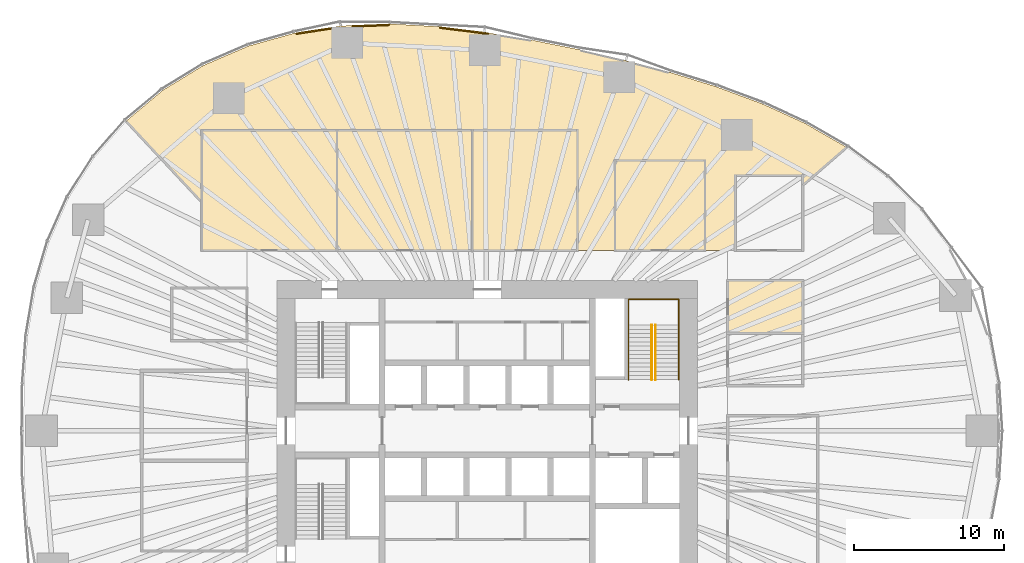
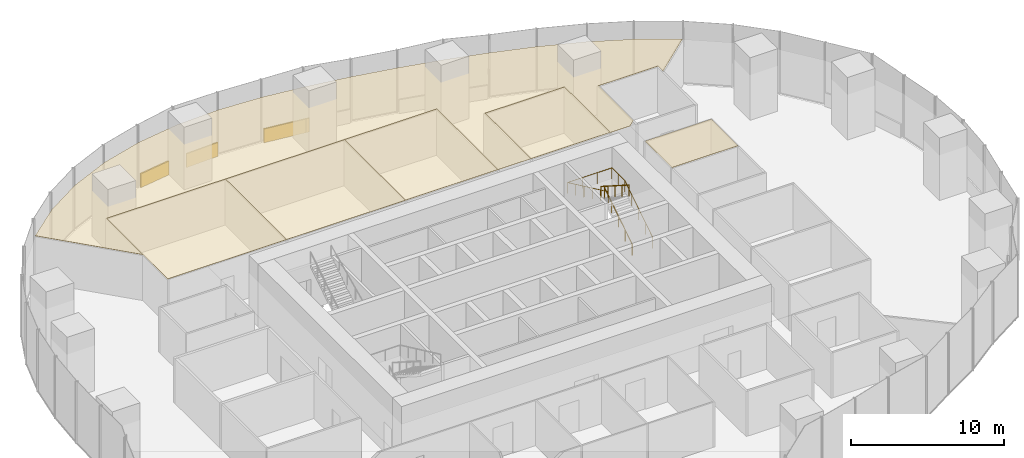
# One storey, part 19 of 20: 10 coverings, 3 railings.
"""IFC4 building model written with IfcOpenShell, lengths in metres."""

from ifc_helpers import new_model, si_unit, direction, frame, origin, origin_2d, place, context, subcontext, project, spatial, polyline, rectangle, circle, outline, extrude, material, layer, layer_set, type_object, element, save


model = new_model("IFC4")

# Units and contexts
model_context = context("Model", 3, precision=1e-05, world=origin(), true_north=direction((0.0, 1.0)))
body_context = subcontext(model_context, "Body", "Model", "MODEL_VIEW")
ifc_project = project(units=[si_unit("LENGTHUNIT", "METRE"), si_unit("AREAUNIT", "SQUARE_METRE"), si_unit("VOLUMEUNIT", "CUBIC_METRE"), si_unit("PLANEANGLEUNIT", "RADIAN"), si_unit("MASSUNIT", "GRAM", prefix="KILO")], contexts=[model_context])

# Site, building, storey
site_placement = place(None, origin())
site = spatial("IfcSite", under=ifc_project, at=site_placement, CompositionType="ELEMENT")
building_placement = place(site_placement, origin())
building = spatial("IfcBuilding", under=site, at=building_placement, Name="Ghaith Harvest Tower", CompositionType="ELEMENT")
storey_placement = place(building_placement, frame((0.0, 0.0, 20.0)))
storey = spatial("IfcBuildingStorey", under=building, at=storey_placement, Name="L04", CompositionType="ELEMENT", Elevation=20.0)

# Coverings
ifc_material_1 = material(Name="Mineral fibre ceiling tile", Category="gypsum")
ifc_layer_1 = layer(ifc_material_1, 0.02490234375)
ifc_layer_set_1 = layer_set([ifc_layer_1], Name="CEILING C2")
covering_type_1 = type_object("IfcCoveringType", Name="CEILING C2", PredefinedType="CEILING", material=ifc_layer_set_1)
covering_1_placement = place(storey_placement, frame((0.0, 0.0, 3.60009765625)))
element("IfcCovering", 1, at=covering_1_placement, inside=storey, type_object=covering_type_1, Name="Ceiling L04-01", PredefinedType="CEILING", context=body_context, shape_type="SweptSolid", body=[
    extrude(outline(polyline([(-19.0, 12.0), (-10.0, 12.0), (-10.0, 20.0), (-19.0, 20.0), (-19.0, 12.0)])), origin(), (0.0, 0.0, 1.0), 0.02490234375),
])
covering_2_placement = place(storey_placement, frame((0.0, 0.0, 3.60009765625)))
element("IfcCovering", 2, at=covering_2_placement, inside=storey, type_object=covering_type_1, Name="Ceiling L04-02", PredefinedType="CEILING", context=body_context, shape_type="SweptSolid", body=[
    extrude(outline(polyline([(-10.0, 12.0), (-1.0, 12.0), (-1.0, 20.0), (-10.0, 20.0), (-10.0, 12.0)])), origin(), (0.0, 0.0, 1.0), 0.02490234375),
])
covering_3_placement = place(storey_placement, frame((0.0, 0.0, 3.60009765625)))
element("IfcCovering", 3, at=covering_3_placement, inside=storey, type_object=covering_type_1, Name="Ceiling L04-03", PredefinedType="CEILING", context=body_context, shape_type="SweptSolid", body=[
    extrude(outline(polyline([(-1.0, 12.0), (6.0, 12.0), (6.0, 20.0), (-1.0, 20.0), (-1.0, 12.0)])), origin(), (0.0, 0.0, 1.0), 0.02490234375),
])
covering_4_placement = place(storey_placement, frame((0.0, 0.0, 3.60009765625)))
element("IfcCovering", 4, at=covering_4_placement, inside=storey, type_object=covering_type_1, Name="Ceiling L04-04", PredefinedType="CEILING", context=body_context, shape_type="SweptSolid", body=[
    extrude(outline(polyline([(8.5, 12.0), (14.5, 12.0), (14.5, 18.0), (8.5, 18.0), (8.5, 12.0)])), origin(), (0.0, 0.0, 1.0), 0.02490234375),
])
covering_5_placement = place(storey_placement, frame((0.0, 0.0, 3.60009765625)))
element("IfcCovering", 5, at=covering_5_placement, inside=storey, type_object=covering_type_1, Name="Ceiling L04-17", PredefinedType="CEILING", context=body_context, shape_type="SweptSolid", body=[
    extrude(outline(polyline([(16.0, 6.5), (21.0, 6.5), (21.0, 10.0), (16.0, 10.0), (16.0, 6.5)])), origin(), (0.0, 0.0, 1.0), 0.02490234375),
])
covering_6_placement = place(storey_placement, frame((0.0, 0.0, 3.60009765625)))
element("IfcCovering", 6, at=covering_6_placement, inside=storey, type_object=covering_type_1, Name="Ceiling L04-N1", PredefinedType="CEILING", context=body_context, shape_type="SweptSolid", body=[
    extrude(outline(polyline([(-21.59912109375, 22.671142578125), (-18.8935546875, 24.32763671875), (-15.907958984375, 25.614501953125), (-12.828125, 26.476806640625), (-9.733642578125, 26.949951171875), (-6.4375, 27.0849609375), (-3.24755859375, 26.91064453125), (-0.181396484375, 26.527099609375), (2.99560546875, 26.004150390625), (6.10888671875, 25.378662109375), (9.21533203125, 24.65087890625), (12.1796875, 23.857666015625), (15.22119140625, 22.916259765625), (18.34521484375, 21.7548828125), (21.149169921875, 20.469482421875), (23.92431640625, 18.873046875), (21.0, 16.336669921875), (21.0, 17.0), (16.5, 17.0), (16.5, 12.43359375), (16.0, 12.0), (14.5, 12.0), (14.5, 18.0), (8.5, 18.0), (8.5, 12.0), (6.0, 12.0), (6.0, 20.0), (-19.0, 20.0), (-19.0, 15.21240234375), (-24.04833984375, 20.618408203125), (-21.59912109375, 22.671142578125)])), origin(), (0.0, 0.0, 1.0), 0.02490234375),
])

# Railings
ifc_material_2 = material(Name="Steel, black powder-coated", Category="steel")
railing_type = type_object("IfcRailingType", Name="HANDRAIL HR1", PredefinedType="HANDRAIL", material=ifc_material_2)
railing_1_placement = place(storey_placement, frame((11.199951171875, 3.39990234375, 0.178466796875)))
element("IfcRailing", 7, at=railing_1_placement, inside=storey, type_object=railing_type, Name="Handrail HR1 stair ST2 L04 flight 1 inner", PredefinedType="HANDRAIL", context=body_context, shape_type="SweptSolid", body=[
    extrude(circle(Radius=0.02392578125, at=origin_2d()), frame((0.0, 0.0, 0.8759765625), z_axis=(0.0, 0.843127859045, 0.537713132908), x_axis=(-1.0, 0.0, 0.0)), (0.0, 0.0, 1.0), 4.3173828125),
    extrude(circle(Radius=0.02099609375, at=origin_2d()), origin(), (0.0, 0.0, 1.0), 0.851806640625),
    extrude(circle(Radius=0.02099609375, at=origin_2d()), frame((0.0, 0.91015625, 0.580322265625)), (0.0, 0.0, 1.0), 0.851806640625),
    extrude(circle(Radius=0.02099609375, at=origin_2d()), frame((0.0, 1.820068359375, 1.16064453125)), (0.0, 0.0, 1.0), 0.851806640625),
    extrude(circle(Radius=0.02099609375, at=origin_2d()), frame((0.0, 2.72998046875, 1.7412109375)), (0.0, 0.0, 1.0), 0.851806640625),
    extrude(circle(Radius=0.02099609375, at=origin_2d()), frame((0.0, 3.64013671875, 2.321533203125)), (0.0, 0.0, 1.0), 0.851806640625),
])
railing_2_placement = place(storey_placement, frame((10.949951171875, 7.0400390625, 2.678466796875)))
element("IfcRailing", 8, at=railing_2_placement, inside=storey, type_object=railing_type, Name="Handrail HR1 stair ST2 L04 flight 2 inner", PredefinedType="HANDRAIL", context=body_context, shape_type="SweptSolid", body=[
    extrude(circle(Radius=0.02392578125, at=origin_2d()), frame((0.0, 0.0, 0.8759765625), z_axis=(0.0, -0.843127859045, 0.537713132908), x_axis=(1.0, 0.0, 0.0)), (0.0, 0.0, 1.0), 4.3173828125),
    extrude(circle(Radius=0.02099609375, at=origin_2d()), origin(), (0.0, 0.0, 1.0), 0.851806640625),
    extrude(circle(Radius=0.02099609375, at=origin_2d()), frame((0.0, -0.91015625, 0.580322265625)), (0.0, 0.0, 1.0), 0.851806640625),
    extrude(circle(Radius=0.02099609375, at=origin_2d()), frame((0.0, -1.820068359375, 1.16064453125)), (0.0, 0.0, 1.0), 0.851806640625),
    extrude(circle(Radius=0.02099609375, at=origin_2d()), frame((0.0, -2.72998046875, 1.7412109375)), (0.0, 0.0, 1.0), 0.851806640625),
    extrude(circle(Radius=0.02099609375, at=origin_2d()), frame((0.0, -3.64013671875, 2.321533203125)), (0.0, 0.0, 1.0), 0.851806640625),
])
railing_3_placement = place(storey_placement, frame((12.75, 3.39990234375, 0.178466796875)))
element("IfcRailing", 9, at=railing_3_placement, inside=storey, type_object=railing_type, Name="Handrail HR1 stair ST2 L04 wall side", PredefinedType="HANDRAIL", context=body_context, shape_type="SweptSolid", body=[
    extrude(circle(Radius=0.02392578125, at=origin_2d()), frame((0.0, 0.0, 0.8759765625), z_axis=(0.0, 0.843127859045, 0.537713132908), x_axis=(-1.0, 0.0, 0.0)), (0.0, 0.0, 1.0), 4.3173828125),
    extrude(circle(Radius=0.02392578125, at=origin_2d()), frame((0.0, 3.64013671875, 3.197265625), z_axis=(0.0, 1.0, 0.0), x_axis=(-1.0, 0.0, 0.0)), (0.0, 0.0, 1.0), 1.7099609375),
    extrude(circle(Radius=0.02392578125, at=origin_2d()), frame((0.0, 5.35009765625, 3.197265625), z_axis=(-1.0, 0.0, 0.0), x_axis=(0.0, -1.0, 0.0)), (0.0, 0.0, 1.0), 3.35009765625),
    extrude(circle(Radius=0.02392578125, at=origin_2d()), frame((-3.35009765625, 5.35009765625, 3.197265625), z_axis=(0.0, -0.905969675553, 0.423342588193), x_axis=(1.0, 0.0, 0.0)), (0.0, 0.0, 1.0), 5.9052734375),
    extrude(circle(Radius=0.02099609375, at=origin_2d()), origin(), (0.0, 0.0, 1.0), 0.851806640625),
    extrude(circle(Radius=0.02099609375, at=origin_2d()), frame((0.0, 0.91015625, 0.580322265625)), (0.0, 0.0, 1.0), 0.851806640625),
    extrude(circle(Radius=0.02099609375, at=origin_2d()), frame((0.0, 1.820068359375, 1.16064453125)), (0.0, 0.0, 1.0), 0.851806640625),
    extrude(circle(Radius=0.02099609375, at=origin_2d()), frame((0.0, 2.72998046875, 1.7412109375)), (0.0, 0.0, 1.0), 0.851806640625),
    extrude(circle(Radius=0.02099609375, at=origin_2d()), frame((0.0, 3.64013671875, 2.321533203125)), (0.0, 0.0, 1.0), 0.851806640625),
    extrude(circle(Radius=0.02099609375, at=origin_2d()), frame((0.0, 4.4951171875, 2.321533203125)), (0.0, 0.0, 1.0), 0.851806640625),
    extrude(circle(Radius=0.02099609375, at=origin_2d()), frame((0.0, 5.35009765625, 2.321533203125)), (0.0, 0.0, 1.0), 0.851806640625),
    extrude(circle(Radius=0.02099609375, at=origin_2d()), frame((-1.11669921875, 5.35009765625, 2.321533203125)), (0.0, 0.0, 1.0), 0.851806640625),
    extrude(circle(Radius=0.02099609375, at=origin_2d()), frame((-2.2333984375, 5.35009765625, 2.321533203125)), (0.0, 0.0, 1.0), 0.851806640625),
    extrude(circle(Radius=0.02099609375, at=origin_2d()), frame((-3.35009765625, 5.35009765625, 2.321533203125)), (0.0, 0.0, 1.0), 0.851806640625),
    extrude(circle(Radius=0.02099609375, at=origin_2d()), frame((-3.35009765625, 4.280029296875, 2.821533203125)), (0.0, 0.0, 1.0), 0.851806640625),
    extrude(circle(Radius=0.02099609375, at=origin_2d()), frame((-3.35009765625, 3.2099609375, 3.321533203125)), (0.0, 0.0, 1.0), 0.851806640625),
    extrude(circle(Radius=0.02099609375, at=origin_2d()), frame((-3.35009765625, 2.14013671875, 3.821533203125)), (0.0, 0.0, 1.0), 0.851806640625),
    extrude(circle(Radius=0.02099609375, at=origin_2d()), frame((-3.35009765625, 1.070068359375, 4.321533203125)), (0.0, 0.0, 1.0), 0.851806640625),
    extrude(circle(Radius=0.02099609375, at=origin_2d()), frame((-3.35009765625, 0.0, 4.821533203125)), (0.0, 0.0, 1.0), 0.851806640625),
])

# Coverings
ifc_material_3 = material(Name="Insulated aluminium spandrel panel on steel framing", Category="steel")
ifc_layer_2 = layer(ifc_material_3, 0.10009765625)
ifc_layer_set_2 = layer_set([ifc_layer_2], Name="SLAB EDGE UPSTAND 1100x100")
covering_type_2 = type_object("IfcCoveringType", Name="SLAB EDGE UPSTAND 1100x100", PredefinedType="CLADDING", material=ifc_layer_set_2)
covering_7_placement = place(storey_placement, frame((-0.063720703125, 26.45703125, 0.0), z_axis=(0.0, 0.0, 1.0), x_axis=(-0.986716247541, 0.162453214305, 0.0)))
element("IfcCovering", 10, at=covering_7_placement, inside=storey, type_object=covering_type_2, Name="Slab edge upstand 3 bay 05 L04", PredefinedType="CLADDING", context=body_context, shape_type="SweptSolid", body=[
    extrude(rectangle(XDim=0.255126953125, YDim=0.10009765625, at=origin_2d()), origin(), (0.0, 0.0, 1.0), 1.10009765625),
])
covering_8_placement = place(storey_placement, frame((-1.671142578125, 26.6630859375, 0.0), z_axis=(0.0, 0.0, 1.0), x_axis=(-0.99226486887, 0.124138753038, 0.0)))
element("IfcCovering", 11, at=covering_8_placement, inside=storey, type_object=covering_type_2, Name="Slab edge upstand 1 bay 06 L04", PredefinedType="CLADDING", context=body_context, shape_type="SweptSolid", body=[
    extrude(rectangle(XDim=2.98974609375, YDim=0.10009765625, at=origin_2d()), origin(), (0.0, 0.0, 1.0), 1.10009765625),
])
covering_9_placement = place(storey_placement, frame((-7.75537109375, 26.98095703125, 0.0), z_axis=(0.0, 0.0, 1.0), x_axis=(-0.999160890982, -0.040957464901, 0.0)))
element("IfcCovering", 12, at=covering_9_placement, inside=storey, type_object=covering_type_2, Name="Slab edge upstand 3 bay 06 L04", PredefinedType="CLADDING", context=body_context, shape_type="SweptSolid", body=[
    extrude(rectangle(XDim=2.44189453125, YDim=0.10009765625, at=origin_2d()), origin(), (0.0, 0.0, 1.0), 1.10009765625),
])
covering_10_placement = place(storey_placement, frame((-11.5576171875, 26.62060546875, 0.0), z_axis=(0.0, 0.0, 1.0), x_axis=(-0.988517924816, -0.1511036476, 0.0)))
element("IfcCovering", 13, at=covering_10_placement, inside=storey, type_object=covering_type_2, Name="Slab edge upstand 1 bay 07 L04", PredefinedType="CLADDING", context=body_context, shape_type="SweptSolid", body=[
    extrude(rectangle(XDim=2.355224609375, YDim=0.10009765625, at=origin_2d()), origin(), (0.0, 0.0, 1.0), 1.10009765625),
])

save(model, "model.ifc")
